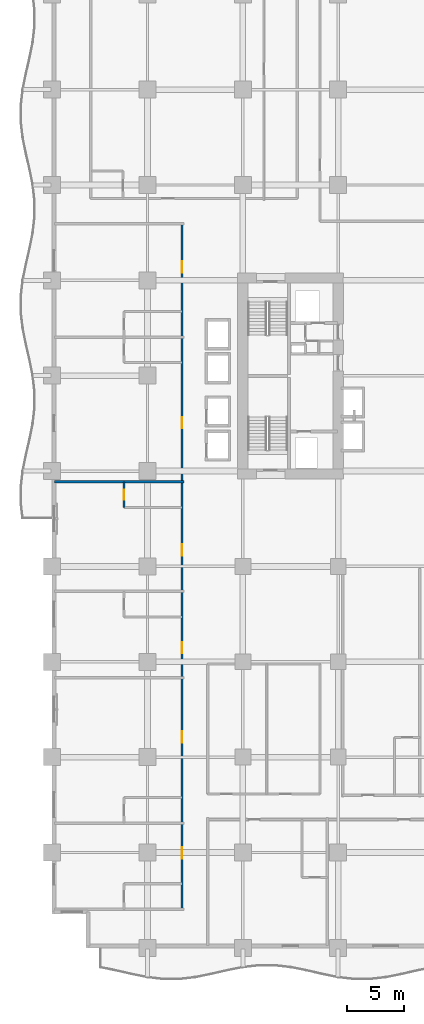
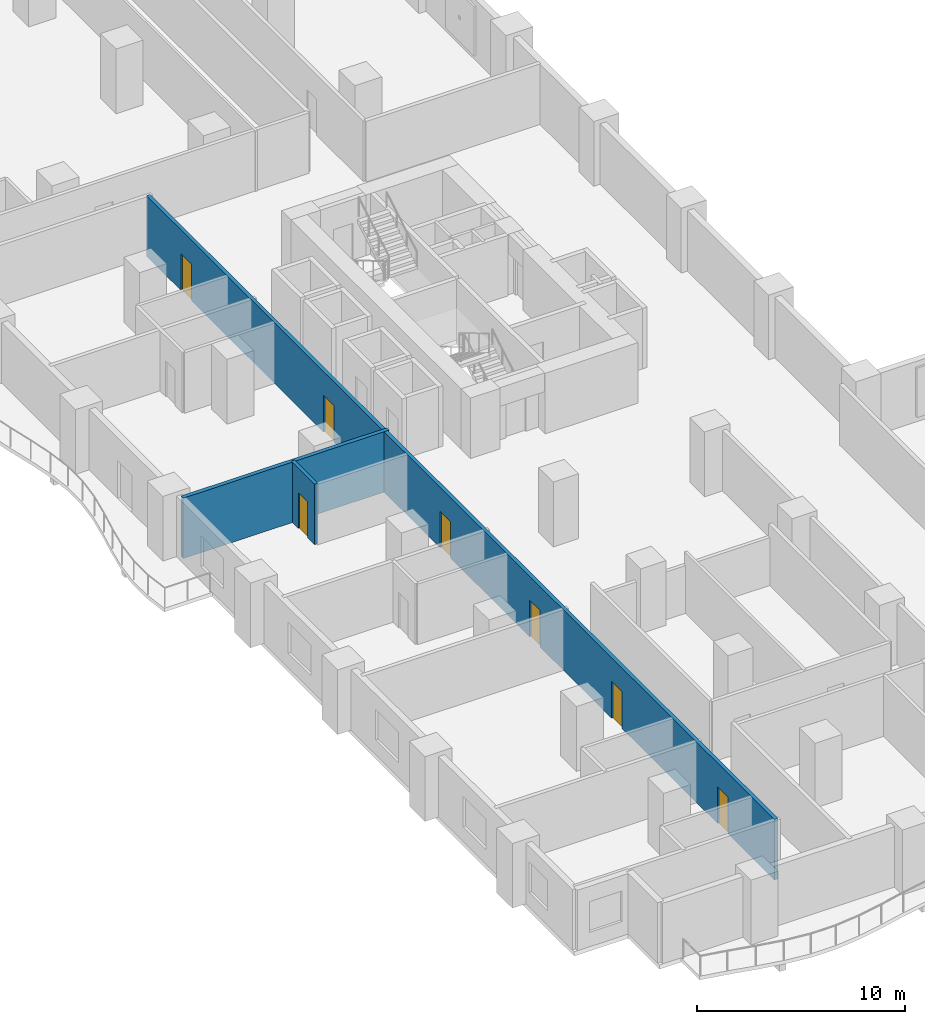
# One storey, part 8 of 20: 7 doors, 3 walls, 7 openings.
"""IFC4 building model written with IfcOpenShell, lengths in metres."""

from ifc_helpers import new_model, si_unit, direction, frame, frame_2d, origin, place, context, subcontext, project, spatial, rectangle, extrude, material, layer, layer_set, type_object, element, fill, save


model = new_model("IFC4")

# Units and contexts
model_context = context("Model", 3, precision=1e-05, world=origin(), true_north=direction((0.0, 1.0)))
body_context = subcontext(model_context, "Body", "Model", "MODEL_VIEW")
ifc_project = project(units=[si_unit("LENGTHUNIT", "METRE"), si_unit("AREAUNIT", "SQUARE_METRE"), si_unit("VOLUMEUNIT", "CUBIC_METRE"), si_unit("PLANEANGLEUNIT", "RADIAN"), si_unit("MASSUNIT", "GRAM", prefix="KILO")], contexts=[model_context])

# Site, building, storey
site_placement = place(None, origin())
site = spatial("IfcSite", under=ifc_project, at=site_placement, CompositionType="ELEMENT")
building_placement = place(site_placement, origin())
building = spatial("IfcBuilding", under=site, at=building_placement, Name="Koriwani Terraces Tower", CompositionType="ELEMENT")
storey_placement = place(building_placement, frame((0.0, 0.0, 73.800048828125)))
storey = spatial("IfcBuildingStorey", under=building, at=storey_placement, Name="L17", CompositionType="ELEMENT", Elevation=73.800048828125)

# Wall, openings, doors
ifc_material_1 = material(Name="Autoclaved Cellular Concrete Blockwork", Category="masonry")
ifc_layer_1 = layer(ifc_material_1, 0.199951171875, Name="Autoclaved Cellular Concrete Blockwork")
ifc_layer_set_1 = layer_set([ifc_layer_1], Name="Autoclaved Cellular Concrete Blockwork")
wall_type_1 = type_object("IfcWallType", Name="WALL_CORRIDOR_200", PredefinedType="PARTITIONING", material=ifc_layer_set_1)
wall_1_placement = place(storey_placement, frame((11.449951171875, 3.39990234375, 0.0), z_axis=(0.0, 0.0, 1.0), x_axis=(0.0, 1.0, 0.0)))
wall_1 = element("IfcWall", 1, at=wall_1_placement, inside=storey, type_object=wall_type_1, Name="L17 Interior Wall WCOR-L17-NW-0", PredefinedType="PARTITIONING", context=body_context, shape_type="SweptSolid", body=[
    extrude(rectangle(XDim=60.400146484375, YDim=0.199951171875, at=frame_2d((30.2001953125, 0.0))), origin(), (0.0, 0.0, 1.0), 3.550048828125),
])
opening_1_placement = place(wall_1_placement, frame((4.465087890625, 0.0, 0.0)))
opening_1 = element("IfcOpeningElement", 2, at=opening_1_placement, cuts=wall_1, Name="Opening D-05", PredefinedType="OPENING", context=body_context, shape_type="SweptSolid", body=[
    extrude(rectangle(XDim=1.0, YDim=2.14990234375, at=frame_2d((0.5, 1.074951171875))), frame((0.0, 0.10986328125, 0.0), z_axis=(0.0, -1.0, 0.0), x_axis=(1.0, 0.0, 0.0)), (0.0, 0.0, 1.0), 0.219970703125),
])
opening_2_placement = place(wall_1_placement, frame((14.6650390625, 0.0, 0.0)))
opening_2 = element("IfcOpeningElement", 3, at=opening_2_placement, cuts=wall_1, Name="Opening D-05", PredefinedType="OPENING", context=body_context, shape_type="SweptSolid", body=[
    extrude(rectangle(XDim=1.0, YDim=2.14990234375, at=frame_2d((0.5, 1.074951171875))), frame((0.0, 0.10986328125, 0.0), z_axis=(0.0, -1.0, 0.0), x_axis=(1.0, 0.0, 0.0)), (0.0, 0.0, 1.0), 0.219970703125),
])
opening_3_placement = place(wall_1_placement, frame((22.534912109375, 0.0, 0.0)))
opening_3 = element("IfcOpeningElement", 4, at=opening_3_placement, cuts=wall_1, Name="Opening D-05", PredefinedType="OPENING", context=body_context, shape_type="SweptSolid", body=[
    extrude(rectangle(XDim=1.0, YDim=2.14990234375, at=frame_2d((0.5, 1.074951171875))), frame((0.0, 0.10986328125, 0.0), z_axis=(0.0, -1.0, 0.0), x_axis=(1.0, 0.0, 0.0)), (0.0, 0.0, 1.0), 0.219970703125),
])
opening_4_placement = place(wall_1_placement, frame((31.159912109375, 0.0, 0.0)))
opening_4 = element("IfcOpeningElement", 5, at=opening_4_placement, cuts=wall_1, Name="Opening D-05", PredefinedType="OPENING", context=body_context, shape_type="SweptSolid", body=[
    extrude(rectangle(XDim=1.0, YDim=2.14990234375, at=frame_2d((0.5, 1.074951171875))), frame((0.0, 0.10986328125, 0.0), z_axis=(0.0, -1.0, 0.0), x_axis=(1.0, 0.0, 0.0)), (0.0, 0.0, 1.0), 0.219970703125),
])
opening_5_placement = place(wall_1_placement, frame((42.360107421875, 0.0, 0.0)))
opening_5 = element("IfcOpeningElement", 6, at=opening_5_placement, cuts=wall_1, Name="Opening D-05", PredefinedType="OPENING", context=body_context, shape_type="SweptSolid", body=[
    extrude(rectangle(XDim=1.0, YDim=2.14990234375, at=frame_2d((0.5, 1.074951171875))), frame((0.0, 0.10986328125, 0.0), z_axis=(0.0, -1.0, 0.0), x_axis=(1.0, 0.0, 0.0)), (0.0, 0.0, 1.0), 0.219970703125),
])
opening_6_placement = place(wall_1_placement, frame((56.06494140625, 0.0, 0.0)))
opening_6 = element("IfcOpeningElement", 7, at=opening_6_placement, cuts=wall_1, Name="Opening D-05", PredefinedType="OPENING", context=body_context, shape_type="SweptSolid", body=[
    extrude(rectangle(XDim=1.0, YDim=2.14990234375, at=frame_2d((0.5, 1.074951171875))), frame((0.0, 0.10986328125, 0.0), z_axis=(0.0, -1.0, 0.0), x_axis=(1.0, 0.0, 0.0)), (0.0, 0.0, 1.0), 0.219970703125),
])
ifc_material_2 = material(Name="Architectural Oak Fire Door", Category="wood")
door_type_1 = type_object("IfcDoorType", Name="DOOR_SUITE_ENTRY_1000X2150", OperationType="NOTDEFINED", PredefinedType="DOOR", material=ifc_material_2)
door_1_placement = place(opening_1_placement, origin())
door_1 = element("IfcDoor", 8, at=door_1_placement, inside=storey, type_object=door_type_1, Name="Luxury Hotel Suite 17NW1 Entrance Door", OperationType="SINGLE_SWING_LEFT", OverallHeight=2.14990234375, OverallWidth=1.0, PredefinedType="DOOR", context=body_context, shape_type="SweptSolid", body=[
    extrude(rectangle(XDim=1.0, YDim=2.14990234375, at=frame_2d((0.5, 1.074951171875))), frame((0.0, 0.02490234375, 0.0), z_axis=(0.0, -1.0, 0.0), x_axis=(1.0, 0.0, 0.0)), (0.0, 0.0, 1.0), 0.050048828125),
])
fill(opening_1, door_1)
door_2_placement = place(opening_2_placement, origin())
door_2 = element("IfcDoor", 9, at=door_2_placement, inside=storey, type_object=door_type_1, Name="Luxury Hotel Suite 17NW2 Entrance Door", OperationType="SINGLE_SWING_LEFT", OverallHeight=2.14990234375, OverallWidth=1.0, PredefinedType="DOOR", context=body_context, shape_type="SweptSolid", body=[
    extrude(rectangle(XDim=1.0, YDim=2.14990234375, at=frame_2d((0.5, 1.074951171875))), frame((0.0, 0.02490234375, 0.0), z_axis=(0.0, -1.0, 0.0), x_axis=(1.0, 0.0, 0.0)), (0.0, 0.0, 1.0), 0.050048828125),
])
fill(opening_2, door_2)
door_3_placement = place(opening_3_placement, origin())
door_3 = element("IfcDoor", 10, at=door_3_placement, inside=storey, type_object=door_type_1, Name="Luxury Hotel Suite 17NW3 Entrance Door", OperationType="SINGLE_SWING_LEFT", OverallHeight=2.14990234375, OverallWidth=1.0, PredefinedType="DOOR", context=body_context, shape_type="SweptSolid", body=[
    extrude(rectangle(XDim=1.0, YDim=2.14990234375, at=frame_2d((0.5, 1.074951171875))), frame((0.0, 0.02490234375, 0.0), z_axis=(0.0, -1.0, 0.0), x_axis=(1.0, 0.0, 0.0)), (0.0, 0.0, 1.0), 0.050048828125),
])
fill(opening_3, door_3)
door_4_placement = place(opening_4_placement, origin())
door_4 = element("IfcDoor", 11, at=door_4_placement, inside=storey, type_object=door_type_1, Name="Luxury Hotel Suite 17NW4 Entrance Door", OperationType="SINGLE_SWING_LEFT", OverallHeight=2.14990234375, OverallWidth=1.0, PredefinedType="DOOR", context=body_context, shape_type="SweptSolid", body=[
    extrude(rectangle(XDim=1.0, YDim=2.14990234375, at=frame_2d((0.5, 1.074951171875))), frame((0.0, 0.02490234375, 0.0), z_axis=(0.0, -1.0, 0.0), x_axis=(1.0, 0.0, 0.0)), (0.0, 0.0, 1.0), 0.050048828125),
])
fill(opening_4, door_4)
door_5_placement = place(opening_5_placement, origin())
door_5 = element("IfcDoor", 12, at=door_5_placement, inside=storey, type_object=door_type_1, Name="Luxury Hotel Suite 17NW5 Entrance Door", OperationType="SINGLE_SWING_LEFT", OverallHeight=2.14990234375, OverallWidth=1.0, PredefinedType="DOOR", context=body_context, shape_type="SweptSolid", body=[
    extrude(rectangle(XDim=1.0, YDim=2.14990234375, at=frame_2d((0.5, 1.074951171875))), frame((0.0, 0.02490234375, 0.0), z_axis=(0.0, -1.0, 0.0), x_axis=(1.0, 0.0, 0.0)), (0.0, 0.0, 1.0), 0.050048828125),
])
fill(opening_5, door_5)
door_6_placement = place(opening_6_placement, origin())
door_6 = element("IfcDoor", 13, at=door_6_placement, inside=storey, type_object=door_type_1, Name="Luxury Hotel Suite 17NW6 Entrance Door", OperationType="SINGLE_SWING_LEFT", OverallHeight=2.14990234375, OverallWidth=1.0, PredefinedType="DOOR", context=body_context, shape_type="SweptSolid", body=[
    extrude(rectangle(XDim=1.0, YDim=2.14990234375, at=frame_2d((0.5, 1.074951171875))), frame((0.0, 0.02490234375, 0.0), z_axis=(0.0, -1.0, 0.0), x_axis=(1.0, 0.0, 0.0)), (0.0, 0.0, 1.0), 0.050048828125),
])
fill(opening_6, door_6)

# Wall
ifc_layer_2 = layer(ifc_material_1, 0.219970703125, Name="Autoclaved Cellular Concrete Blockwork")
ifc_layer_set_2 = layer_set([ifc_layer_2], Name="Autoclaved Cellular Concrete Blockwork")
wall_type_2 = type_object("IfcWallType", Name="WALL_DEMISING_220", PredefinedType="PARTITIONING", material=ifc_layer_set_2)
wall_2_placement = place(storey_placement, frame((0.199951171875, 41.050048828125, 0.0), z_axis=(0.0, 0.0, 1.0), x_axis=(1.0, 0.0, 0.0)))
element("IfcWall", 14, at=wall_2_placement, inside=storey, type_object=wall_type_2, Name="L17 Interior Wall WDEM-L17-NW-4", PredefinedType="PARTITIONING", context=body_context, shape_type="SweptSolid", body=[
    extrude(rectangle(XDim=11.429931640625, YDim=0.219970703125, at=frame_2d((5.71484375, 0.0))), origin(), (0.0, 0.0, 1.0), 3.550048828125),
])

# Wall, opening, door
ifc_material_3 = material(Name="Fire-Rated Acoustic Gypsum Partition", Category="masonry")
ifc_layer_3 = layer(ifc_material_3, 0.179931640625, Name="Fire-Rated Acoustic Gypsum Partition")
ifc_layer_set_3 = layer_set([ifc_layer_3], Name="Fire-Rated Acoustic Gypsum Partition")
wall_type_3 = type_object("IfcWallType", Name="WALL_PLUMBING_180", PredefinedType="PLUMBINGWALL", material=ifc_layer_set_3)
wall_3_placement = place(storey_placement, frame((6.35009765625, 38.800048828125, 0.0), z_axis=(0.0, 0.0, 1.0), x_axis=(0.0, 1.0, 0.0)))
wall_3 = element("IfcWall", 15, at=wall_3_placement, inside=storey, type_object=wall_type_3, Name="L17 Interior Wall WBTH1-L17-NW-3", PredefinedType="PLUMBINGWALL", context=body_context, shape_type="SweptSolid", body=[
    extrude(rectangle(XDim=2.25, YDim=0.179931640625, at=frame_2d((1.125, 0.0))), origin(), (0.0, 0.0, 1.0), 3.550048828125),
])
opening_7_placement = place(wall_3_placement, frame((0.675048828125, 0.0, 0.0)))
opening_7 = element("IfcOpeningElement", 16, at=opening_7_placement, cuts=wall_3, Name="Opening D-07", PredefinedType="OPENING", context=body_context, shape_type="SweptSolid", body=[
    extrude(rectangle(XDim=0.89990234375, YDim=2.10009765625, at=frame_2d((0.449951171875, 1.050048828125))), frame((0.0, 0.10009765625, 0.0), z_axis=(0.0, -1.0, 0.0), x_axis=(1.0, 0.0, 0.0)), (0.0, 0.0, 1.0), 0.199951171875),
])
door_type_2 = type_object("IfcDoorType", Name="DOOR_BATH_INT_900X2100", OperationType="NOTDEFINED", PredefinedType="DOOR", material=ifc_material_2)
door_7_placement = place(opening_7_placement, origin())
door_7 = element("IfcDoor", 17, at=door_7_placement, inside=storey, type_object=door_type_2, Name="En-Suite Bathroom 17NW4 Door", OperationType="SINGLE_SWING_RIGHT", OverallHeight=2.10009765625, OverallWidth=0.89990234375, PredefinedType="DOOR", context=body_context, shape_type="SweptSolid", body=[
    extrude(rectangle(XDim=0.89990234375, YDim=2.10009765625, at=frame_2d((0.449951171875, 1.050048828125))), frame((0.0, 0.02490234375, 0.0), z_axis=(0.0, -1.0, 0.0), x_axis=(1.0, 0.0, 0.0)), (0.0, 0.0, 1.0), 0.050048828125),
])
fill(opening_7, door_7)

save(model, "model.ifc")
